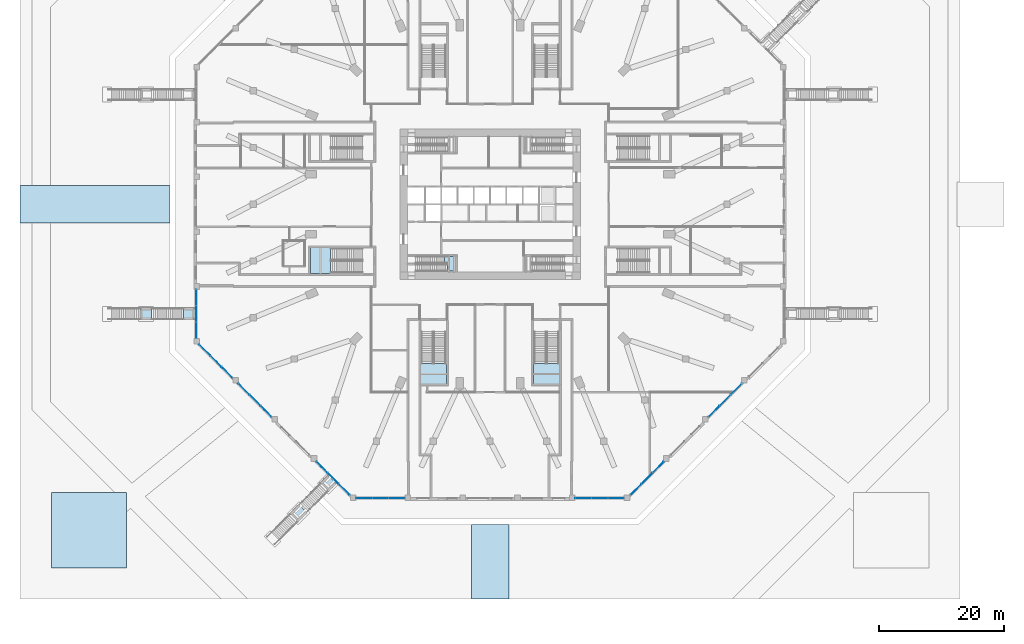
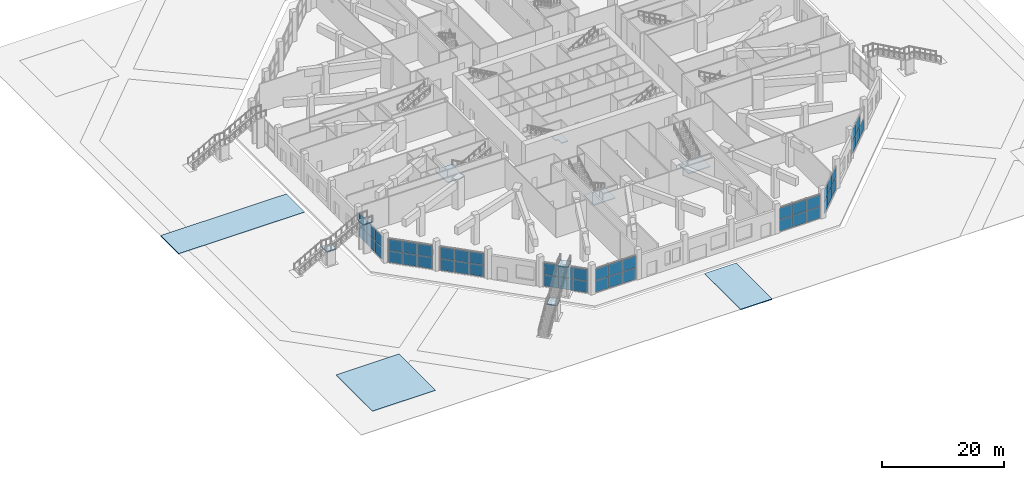
# One storey, part 16 of 36: 47 plates, 11 slabs, 14 elements without a shape of their own.
"""IFC4 building model written with IfcOpenShell, lengths in metres."""

import ifcopenshell
import ifcopenshell.guid

model = None  # the IFC model being written
_history = None  # IfcOwnerHistory: only IFC2X3 demands one
_inside = {}  # id of a spatial element -> (the spatial element, [elements in it])
_under = {}  # id of a project, library or spatial element -> (it, [spatial elements below it])
_declared = {}  # id of a project -> (the project, [libraries it declares])
_typed = {}  # id of a type object -> (the type object, [elements of that type])
_made_of = {}  # id of a material, layer set ... -> (it, [elements and type objects made of it])


def new_model(schema):
    """Start an empty IFC model of exactly this schema.

    Asked for "IFC4X3", IfcOpenShell would pick the latest addendum, in which some entities
    have other attributes; the version numbers below select the first issue.
    IFC2X3 requires an IfcOwnerHistory on every rooted entity: one is made here for all.
    """
    global model, _history
    if schema == "IFC4X3":
        model = ifcopenshell.file(schema_version=(4, 3, 0, 0))
    else:
        model = ifcopenshell.file(schema=schema)
    _inside.clear()
    _under.clear()
    _declared.clear()
    _typed.clear()
    _made_of.clear()
    _history = None
    if model.schema == "IFC2X3":
        org = make("IfcOrganization", Name="unknown")
        user = make(
            "IfcPersonAndOrganization",
            ThePerson=make("IfcPerson", FamilyName="unknown"),
            TheOrganization=org,
        )
        app = make(
            "IfcApplication",
            ApplicationDeveloper=org,
            Version="unknown",
            ApplicationFullName="unknown",
            ApplicationIdentifier="unknown",
        )
        _history = make(
            "IfcOwnerHistory",
            OwningUser=user,
            OwningApplication=app,
            ChangeAction="ADDED",
            CreationDate=0,
        )
    return model


def make(cls, **values):
    """One entity of the class cls with the attributes given. An attribute that is None is left unset."""
    return model.create_entity(
        cls, **{name: value for name, value in values.items() if value is not None}
    )


def rooted(cls, **values):
    """An entity with a GlobalId (a new one), such as an element, a storey or a relation."""
    return make(cls, GlobalId=ifcopenshell.guid.new(), OwnerHistory=_history, **values)


def si_unit(unit_type, name, prefix=None):
    """IfcSIUnit, for example si_unit("LENGTHUNIT", "METRE", prefix="MILLI")."""
    return make("IfcSIUnit", UnitType=unit_type, Prefix=prefix, Name=name)


def assignment(units):
    """IfcUnitAssignment: the units of a project."""
    return None if units is None else make("IfcUnitAssignment", Units=units)


def point(xyz):
    """IfcCartesianPoint."""
    return None if xyz is None else make("IfcCartesianPoint", Coordinates=xyz)


def direction(xyz):
    """IfcDirection."""
    return None if xyz is None else make("IfcDirection", DirectionRatios=xyz)


def frame(location, z_axis=None, x_axis=None):
    """IfcAxis2Placement3D, a coordinate frame: its origin and axes. An axis left out is left unset."""
    return make(
        "IfcAxis2Placement3D",
        Location=point(location),
        Axis=direction(z_axis),
        RefDirection=direction(x_axis),
    )


def frame_2d(location, x_axis=None):
    """IfcAxis2Placement2D, a coordinate frame in the plane: its origin and x axis."""
    return make(
        "IfcAxis2Placement2D", Location=point(location), RefDirection=direction(x_axis)
    )


def origin():
    """The frame at (0, 0, 0) with its axes left unset."""
    return frame((0.0, 0.0, 0.0))


def origin_2d():
    """The frame at (0, 0) in the plane with its x axis left unset."""
    return frame_2d((0.0, 0.0))


def place(relative_to, where):
    """IfcLocalPlacement: puts the frame where relative to a parent placement (None: the world)."""
    return make(
        "IfcLocalPlacement", PlacementRelTo=relative_to, RelativePlacement=where
    )


def context(
    kind, dimensions, precision=None, world=None, true_north=None, identifier=None
):
    """IfcGeometricRepresentationContext, for example the 3D "Model" context."""
    return make(
        "IfcGeometricRepresentationContext",
        ContextIdentifier=identifier,
        ContextType=kind,
        CoordinateSpaceDimension=dimensions,
        Precision=precision,
        WorldCoordinateSystem=world,
        TrueNorth=true_north,
    )


def subcontext(parent, identifier, kind, view, scale=None):
    """IfcGeometricRepresentationSubContext, for example "Body" below "Model"."""
    return make(
        "IfcGeometricRepresentationSubContext",
        ContextIdentifier=identifier,
        ContextType=kind,
        ParentContext=parent,
        TargetScale=scale,
        TargetView=view,
    )


def project(units=None, contexts=None):
    """IfcProject with its units and contexts."""
    return rooted(
        "IfcProject",
        Name="project",
        RepresentationContexts=contexts,
        UnitsInContext=assignment(units),
    )


def spatial(cls, under=None, at=None, **own):
    """A site, building, storey or space (cls), placed at a placement, below another one or the project."""
    s = rooted(cls, ObjectPlacement=at, **own)
    if under is not None:
        _under.setdefault(under.id(), (under, []))[1].append(s)
    return s


def polyline(points):
    """IfcPolyline through the points."""
    return make("IfcPolyline", Points=[point(p) for p in points])


def profile(cls, at=None, kind="AREA", **sizes):
    """A parametric profile (cls). Its sizes go by their IFC names, for example OverallWidth=200.0."""
    return make(cls, ProfileType=kind, Position=at, **sizes)


def rectangle(**sizes):
    """IfcRectangleProfileDef."""
    return profile("IfcRectangleProfileDef", **sizes)


def outline(outer, holes=None, kind="AREA"):
    """IfcArbitraryClosedProfileDef: a profile drawn as a closed curve; with holes, ...WithVoids."""
    if holes is None:
        return make("IfcArbitraryClosedProfileDef", ProfileType=kind, OuterCurve=outer)
    return make(
        "IfcArbitraryProfileDefWithVoids",
        ProfileType=kind,
        OuterCurve=outer,
        InnerCurves=holes,
    )


def extrude(swept, where, along, depth):
    """IfcExtrudedAreaSolid: the profile swept, set in the frame where, extruded along a direction by depth."""
    return make(
        "IfcExtrudedAreaSolid",
        SweptArea=swept,
        Position=where,
        ExtrudedDirection=direction(along),
        Depth=depth,
    )


def shape(context_of_items, identifier, shape_type, items):
    """IfcShapeRepresentation: the items that make up one representation, for example the "Body"."""
    return make(
        "IfcShapeRepresentation",
        ContextOfItems=context_of_items,
        RepresentationIdentifier=identifier,
        RepresentationType=shape_type,
        Items=items,
    )


def material(Name=None, Category=None):
    """IfcMaterial."""
    return make("IfcMaterial", Name=Name, Category=Category)


def layer(
    of_material, thickness, ventilated=None, Name=None, Category=None, Priority=None
):
    """IfcMaterialLayer: one layer of a wall or slab, of a material (None: an air gap)."""
    return make(
        "IfcMaterialLayer",
        Material=of_material,
        LayerThickness=thickness,
        IsVentilated=ventilated,
        Name=Name,
        Category=Category,
        Priority=Priority,
    )


def layer_set(layers, Name=None):
    """IfcMaterialLayerSet."""
    return make("IfcMaterialLayerSet", MaterialLayers=layers, LayerSetName=Name)


def constituent(of_material, Name=None, Category=None, fraction=None):
    """IfcMaterialConstituent: one of the materials an element consists of."""
    return make(
        "IfcMaterialConstituent",
        Name=Name,
        Material=of_material,
        Fraction=fraction,
        Category=Category,
    )


def constituent_set(constituents=None, Name=None):
    """IfcMaterialConstituentSet."""
    return make(
        "IfcMaterialConstituentSet", Name=Name, MaterialConstituents=constituents
    )


def made_of(thing, what):
    """Note that an element or type object is made of a material, layer set ...; save() writes the relation."""
    if what is not None:
        _made_of.setdefault(what.id(), (what, []))[1].append(thing)
    return thing


def type_object(cls, material=None, **own):
    """A type object (cls), such as IfcWallType, which elements share."""
    return made_of(rooted(cls, **own), material)


def element(
    cls,
    number,
    at=None,
    inside=None,
    cuts=None,
    type_object=None,
    material=None,
    context=None,
    identifier="Body",
    shape_type=None,
    held_by="IfcProductDefinitionShape",
    body=None,
    shapes=None,
    **own,
):
    """One element of the class cls, such as IfcWall. Its Tag is "e" and its number.

    at: its placement. inside: the storey or other place that contains it. cuts: it is an
    opening in that element (IfcRelVoidsElement). A single representation is given by context,
    identifier, shape_type and body (its items); several are given by shapes. held_by: the class
    of the entity that holds the representations. save() writes the other relations.
    """
    e = rooted(cls, Tag="e%d" % number, ObjectPlacement=at, **own)
    if body is not None:
        shapes = [shape(context, identifier, shape_type, body)]
    if shapes is not None:
        e.Representation = make(held_by, Representations=shapes)
    if inside is not None:
        _inside.setdefault(inside.id(), (inside, []))[1].append(e)
    if cuts is not None:
        rooted(
            "IfcRelVoidsElement", RelatingBuildingElement=cuts, RelatedOpeningElement=e
        )
    if type_object is not None:
        _typed.setdefault(type_object.id(), (type_object, []))[1].append(e)
    return made_of(e, material)


def aggregate(whole, parts):
    """IfcRelAggregates: a whole, such as a stair, and the parts it consists of."""
    return rooted("IfcRelAggregates", RelatingObject=whole, RelatedObjects=parts)


def save(model, path):
    """Write the relations noted so far, then the file.

    IfcRelAggregates (storeys below a building ...), IfcRelContainedInSpatialStructure (elements
    in a storey), IfcRelDefinesByType, IfcRelAssociatesMaterial and IfcRelDeclares: one each for
    every whole, place, type object, material and project.
    """
    for whole, parts in _under.values():
        aggregate(whole, parts)
    for where, things in _inside.values():
        rooted(
            "IfcRelContainedInSpatialStructure",
            RelatedElements=things,
            RelatingStructure=where,
        )
    for kind, things in _typed.values():
        rooted("IfcRelDefinesByType", RelatedObjects=things, RelatingType=kind)
    for what, things in _made_of.values():
        rooted("IfcRelAssociatesMaterial", RelatedObjects=things, RelatingMaterial=what)
    for by, libraries in _declared.values():
        rooted("IfcRelDeclares", RelatingContext=by, RelatedDefinitions=libraries)
    model.write(path)


model = new_model("IFC4")

# Units and contexts
model_context = context("Model", 3, precision=1e-05, world=origin(), true_north=direction((0.0, 1.0)))
body_context = subcontext(model_context, "Body", "Model", "MODEL_VIEW")
ifc_project = project(units=[si_unit("LENGTHUNIT", "METRE"), si_unit("AREAUNIT", "SQUARE_METRE"), si_unit("VOLUMEUNIT", "CUBIC_METRE"), si_unit("PLANEANGLEUNIT", "RADIAN"), si_unit("MASSUNIT", "GRAM", prefix="KILO")], contexts=[model_context])

# Site, building, storey
site_placement = place(None, origin())
site = spatial("IfcSite", under=ifc_project, at=site_placement, CompositionType="ELEMENT")
building_placement = place(site_placement, origin())
building = spatial("IfcBuilding", under=site, at=building_placement, Name="Msitu Wima Residences", CompositionType="ELEMENT")
storey_placement = place(building_placement, origin())
storey = spatial("IfcBuildingStorey", under=building, at=storey_placement, Name="L00", CompositionType="ELEMENT", Elevation=0.0)

# Stair, slabs
ifc_material_1 = material(Name="Concrete C40/50", Category="concrete")
stair_type_1 = type_object("IfcStairType", Name="External stair garden STAIR", PredefinedType="NOTDEFINED", material=ifc_material_1)
stair_1_placement = place(storey_placement, origin())
stair_1 = element("IfcStair", 1, at=stair_1_placement, inside=storey, type_object=stair_type_1, Name="External stair SW4", PredefinedType="NOTDEFINED")
ifc_layer_1 = layer(ifc_material_1, 0.199951171875)
ifc_layer_set_1 = layer_set([ifc_layer_1], Name="Concrete C40/50")
slab_type_1 = type_object("IfcSlabType", Name="External stair landing LD1800", PredefinedType="LANDING", material=ifc_layer_set_1)
slab_1_placement = place(storey_placement, frame((0.0, 0.0, 5.800048828125)))
slab_1 = element("IfcSlab", 2, at=slab_1_placement, type_object=slab_type_1, Name="ES1 landing 1", PredefinedType="LANDING", context=body_context, shape_type="SweptSolid", body=[
    extrude(outline(polyline([(-25.822509765625, -43.2578125), (-24.549560546875, -44.530517578125), (-25.822509765625, -45.80322265625), (-27.09521484375, -44.530517578125), (-25.822509765625, -43.2578125)])), origin(), (0.0, 0.0, 1.0), 0.199951171875),
])
slab_2_placement = place(storey_placement, frame((0.0, 0.0, 2.800048828125)))
slab_2 = element("IfcSlab", 3, at=slab_2_placement, type_object=slab_type_1, Name="ES1 landing 2", PredefinedType="LANDING", context=body_context, shape_type="SweptSolid", body=[
    extrude(outline(polyline([(-30.482666015625, -47.91796875), (-29.2099609375, -49.190673828125), (-30.701416015625, -50.682373046875), (-31.97412109375, -49.40966796875), (-30.482666015625, -47.91796875)])), origin(), (0.0, 0.0, 1.0), 0.199951171875),
])
aggregate(stair_1, [slab_1, slab_2])

# Slabs
ifc_material_2 = material(Name="Clay pavers")
ifc_layer_2 = layer(ifc_material_2, 0.0400390625, Name="Clay pavers")
ifc_material_3 = material(Name="Concrete C30/37", Category="concrete")
ifc_layer_3 = layer(ifc_material_3, 0.110107421875, Name="Concrete C30/37")
ifc_layer_set_2 = layer_set([ifc_layer_2, ifc_layer_3], Name="Concrete C30/37")
slab_type_2 = type_object("IfcSlabType", Name="Garden paving slab PG150", PredefinedType="USERDEFINED", material=ifc_layer_set_2)
slab_3_placement = place(storey_placement, frame((0.0, 0.0, -0.14990234375)))
element("IfcSlab", 4, at=slab_3_placement, inside=storey, type_object=slab_type_2, Name="Garden path S paving", ObjectType="PAVING", PredefinedType="USERDEFINED", context=body_context, shape_type="SweptSolid", body=[
    extrude(outline(polyline([(3.0, -63.0), (3.0, -51.10009765625), (-3.0, -51.10009765625), (-3.0, -63.0), (3.0, -63.0)])), origin(), (0.0, 0.0, 1.0), 0.14990234375),
])
slab_4_placement = place(storey_placement, frame((0.0, 0.0, -0.14990234375)))
element("IfcSlab", 5, at=slab_4_placement, inside=storey, type_object=slab_type_2, Name="Garden path W paving", ObjectType="PAVING", PredefinedType="USERDEFINED", context=body_context, shape_type="SweptSolid", body=[
    extrude(outline(polyline([(-51.10009765625, -3.0), (-51.10009765625, 3.0), (-75.0, 3.0), (-75.0, -3.0), (-51.10009765625, -3.0)])), origin(), (0.0, 0.0, 1.0), 0.14990234375),
])
slab_5_placement = place(storey_placement, frame((0.0, 0.0, -0.14990234375)))
element("IfcSlab", 6, at=slab_5_placement, inside=storey, type_object=slab_type_2, Name="Garden plaza SW paving", ObjectType="PAVING", PredefinedType="USERDEFINED", context=body_context, shape_type="SweptSolid", body=[
    extrude(outline(polyline([(-70.0, -58.0), (-58.0, -58.0), (-58.0, -46.0), (-70.0, -46.0), (-70.0, -58.0)])), origin(), (0.0, 0.0, 1.0), 0.14990234375),
])

# Stair, slabs
ifc_constituent_1 = constituent(ifc_material_1, Name="Concrete C40/50")
ifc_material_4 = material(Name="Exposed aggregate finish")
ifc_constituent_2 = constituent(ifc_material_4, Name="Exposed aggregate finish")
ifc_constituent_set = constituent_set(constituents=[ifc_constituent_1, ifc_constituent_2], Name="Concrete C40/50")
stair_type_2 = type_object("IfcStairType", Name="Garden stair GX1667-180", PredefinedType="STRAIGHT_RUN_STAIR", material=ifc_constituent_set)
stair_2_placement = place(storey_placement, origin())
stair_2 = element("IfcStair", 7, at=stair_2_placement, inside=storey, type_object=stair_type_2, Name="Garden stair 3", PredefinedType="STRAIGHT_RUN_STAIR")
ifc_layer_4 = layer(ifc_material_1, 0.199951171875)
ifc_layer_set_3 = layer_set([ifc_layer_4], Name="Concrete C40/50")
slab_type_3 = type_object("IfcSlabType", Name="Garden stair landing LG200", PredefinedType="LANDING", material=ifc_layer_set_3)
slab_6_placement = place(storey_placement, frame((0.0, 0.0, 5.800048828125)))
slab_6 = element("IfcSlab", 8, at=slab_6_placement, type_object=slab_type_3, Name="GS3 landing 1", PredefinedType="LANDING", context=body_context, shape_type="SweptSolid", body=[
    extrude(outline(polyline([(-47.10009765625, -16.584716796875), (-47.10009765625, -18.384765625), (-48.89990234375, -18.384765625), (-48.89990234375, -16.584716796875), (-47.10009765625, -16.584716796875)])), origin(), (0.0, 0.0, 1.0), 0.199951171875),
])
slab_7_placement = place(storey_placement, frame((0.0, 0.0, 2.800048828125)))
slab_7 = element("IfcSlab", 9, at=slab_7_placement, type_object=slab_type_3, Name="GS3 landing 2", PredefinedType="LANDING", context=body_context, shape_type="SweptSolid", body=[
    extrude(outline(polyline([(-54.0, -16.584716796875), (-54.0, -18.384765625), (-55.800048828125, -18.384765625), (-55.800048828125, -16.584716796875), (-54.0, -16.584716796875)])), origin(), (0.0, 0.0, 1.0), 0.199951171875),
])
aggregate(stair_2, [slab_6, slab_7])

# Curtain wall, plates
ifc_material_5 = material(Name="Anodised aluminium, bronze finish, clear laminated low-emissivity double glazing", Category="aluminium")
curtain_wall_type = type_object("IfcCurtainWallType", Name="Curtain wall CW1 shopfront", PredefinedType="NOTDEFINED", material=ifc_material_5)
curtain_wall_1_placement = place(storey_placement, origin())
curtain_wall_1 = element("IfcCurtainWall", 10, at=curtain_wall_1_placement, inside=storey, type_object=curtain_wall_type, Name="Curtain wall CW1 L00 W4", PredefinedType="NOTDEFINED")
ifc_material_6 = material(Name="Clear laminated low-emissivity double glazing", Category="glass")
ifc_layer_5 = layer(ifc_material_6, 0.035888671875)
ifc_layer_set_4 = layer_set([ifc_layer_5], Name="Clear laminated low-emissivity double glazing")
plate_type = type_object("IfcPlateType", Name="Glass panel CW1 36", PredefinedType="CURTAIN_PANEL", material=ifc_layer_set_4)
plate_1_placement = place(storey_placement, frame((-46.89990234375, -14.88671875, 0.06494140625), z_axis=(0.0, 0.0, 1.0), x_axis=(0.0, -1.0, 0.0)))
plate_1 = element("IfcPlate", 11, at=plate_1_placement, type_object=plate_type, Name="CW1 panel 1.1", PredefinedType="CURTAIN_PANEL", context=body_context, shape_type="SweptSolid", body=[
    extrude(rectangle(XDim=2.5166015625, YDim=0.035888671875, at=origin_2d()), origin(), (0.0, 0.0, 1.0), 2.302490234375),
])
plate_2_placement = place(storey_placement, frame((-46.89990234375, -14.88671875, 2.4326171875), z_axis=(0.0, 0.0, 1.0), x_axis=(0.0, -1.0, 0.0)))
plate_2 = element("IfcPlate", 12, at=plate_2_placement, type_object=plate_type, Name="CW1 panel 1.2", PredefinedType="CURTAIN_PANEL", context=body_context, shape_type="SweptSolid", body=[
    extrude(rectangle(XDim=2.5166015625, YDim=0.035888671875, at=origin_2d()), origin(), (0.0, 0.0, 1.0), 2.302490234375),
])
plate_3_placement = place(storey_placement, frame((-46.89990234375, -17.484619140625, 0.06494140625), z_axis=(0.0, 0.0, 1.0), x_axis=(0.0, -1.0, 0.0)))
plate_3 = element("IfcPlate", 13, at=plate_3_placement, type_object=plate_type, Name="CW1 panel 2.1", PredefinedType="CURTAIN_PANEL", context=body_context, shape_type="SweptSolid", body=[
    extrude(rectangle(XDim=2.549072265625, YDim=0.035888671875, at=origin_2d()), origin(), (0.0, 0.0, 1.0), 2.302490234375),
])
plate_4_placement = place(storey_placement, frame((-46.89990234375, -17.484619140625, 2.4326171875), z_axis=(0.0, 0.0, 1.0), x_axis=(0.0, -1.0, 0.0)))
plate_4 = element("IfcPlate", 14, at=plate_4_placement, type_object=plate_type, Name="CW1 panel 2.2", PredefinedType="CURTAIN_PANEL", context=body_context, shape_type="SweptSolid", body=[
    extrude(rectangle(XDim=2.549072265625, YDim=0.035888671875, at=origin_2d()), origin(), (0.0, 0.0, 1.0), 2.302490234375),
])
plate_5_placement = place(storey_placement, frame((-46.89990234375, -20.08251953125, 0.06494140625), z_axis=(0.0, 0.0, 1.0), x_axis=(0.0, -1.0, 0.0)))
plate_5 = element("IfcPlate", 15, at=plate_5_placement, type_object=plate_type, Name="CW1 panel 3.1", PredefinedType="CURTAIN_PANEL", context=body_context, shape_type="SweptSolid", body=[
    extrude(rectangle(XDim=2.5166015625, YDim=0.035888671875, at=origin_2d()), origin(), (0.0, 0.0, 1.0), 2.302490234375),
])
plate_6_placement = place(storey_placement, frame((-46.89990234375, -20.08251953125, 2.4326171875), z_axis=(0.0, 0.0, 1.0), x_axis=(0.0, -1.0, 0.0)))
plate_6 = element("IfcPlate", 16, at=plate_6_placement, type_object=plate_type, Name="CW1 panel 3.2", PredefinedType="CURTAIN_PANEL", context=body_context, shape_type="SweptSolid", body=[
    extrude(rectangle(XDim=2.5166015625, YDim=0.035888671875, at=origin_2d()), origin(), (0.0, 0.0, 1.0), 2.302490234375),
])
aggregate(curtain_wall_1, [plate_1, plate_2, plate_3, plate_4, plate_5, plate_6])

curtain_wall_2_placement = place(storey_placement, origin())
curtain_wall_2 = element("IfcCurtainWall", 17, at=curtain_wall_2_placement, inside=storey, type_object=curtain_wall_type, Name="Curtain wall CW1 L00 SW0", PredefinedType="NOTDEFINED")
plate_7_placement = place(storey_placement, frame((-45.519775390625, -23.27734375, 0.06494140625), z_axis=(0.0, 0.0, 1.0), x_axis=(0.707106781187, -0.707106781187, 0.0)))
plate_7 = element("IfcPlate", 18, at=plate_7_placement, type_object=plate_type, Name="CW1 panel 1.1", PredefinedType="CURTAIN_PANEL", context=body_context, shape_type="SweptSolid", body=[
    extrude(rectangle(XDim=2.41796875, YDim=0.035888671875, at=origin_2d()), origin(), (0.0, 0.0, 1.0), 2.302490234375),
])
plate_8_placement = place(storey_placement, frame((-45.519775390625, -23.27734375, 2.4326171875), z_axis=(0.0, 0.0, 1.0), x_axis=(0.707106781187, -0.707106781187, 0.0)))
plate_8 = element("IfcPlate", 19, at=plate_8_placement, type_object=plate_type, Name="CW1 panel 1.2", PredefinedType="CURTAIN_PANEL", context=body_context, shape_type="SweptSolid", body=[
    extrude(rectangle(XDim=2.41796875, YDim=0.035888671875, at=origin_2d()), origin(), (0.0, 0.0, 1.0), 2.302490234375),
])
plate_9_placement = place(storey_placement, frame((-43.752685546875, -25.044677734375, 0.06494140625), z_axis=(0.0, 0.0, 1.0), x_axis=(0.707106781187, -0.707106781187, 0.0)))
plate_9 = element("IfcPlate", 20, at=plate_9_placement, type_object=plate_type, Name="CW1 panel 2.1", PredefinedType="CURTAIN_PANEL", context=body_context, shape_type="SweptSolid", body=[
    extrude(rectangle(XDim=2.450439453125, YDim=0.035888671875, at=origin_2d()), origin(), (0.0, 0.0, 1.0), 2.302490234375),
])
plate_10_placement = place(storey_placement, frame((-43.752685546875, -25.044677734375, 2.4326171875), z_axis=(0.0, 0.0, 1.0), x_axis=(0.707106781187, -0.707106781187, 0.0)))
plate_10 = element("IfcPlate", 21, at=plate_10_placement, type_object=plate_type, Name="CW1 panel 2.2", PredefinedType="CURTAIN_PANEL", context=body_context, shape_type="SweptSolid", body=[
    extrude(rectangle(XDim=2.450439453125, YDim=0.035888671875, at=origin_2d()), origin(), (0.0, 0.0, 1.0), 2.302490234375),
])
plate_11_placement = place(storey_placement, frame((-41.985595703125, -26.811767578125, 0.06494140625), z_axis=(0.0, 0.0, 1.0), x_axis=(0.707106781187, -0.707106781187, 0.0)))
plate_11 = element("IfcPlate", 22, at=plate_11_placement, type_object=plate_type, Name="CW1 panel 3.1", PredefinedType="CURTAIN_PANEL", context=body_context, shape_type="SweptSolid", body=[
    extrude(rectangle(XDim=2.41796875, YDim=0.035888671875, at=origin_2d()), origin(), (0.0, 0.0, 1.0), 2.302490234375),
])
plate_12_placement = place(storey_placement, frame((-41.985595703125, -26.811767578125, 2.4326171875), z_axis=(0.0, 0.0, 1.0), x_axis=(0.707106781187, -0.707106781187, 0.0)))
plate_12 = element("IfcPlate", 23, at=plate_12_placement, type_object=plate_type, Name="CW1 panel 3.2", PredefinedType="CURTAIN_PANEL", context=body_context, shape_type="SweptSolid", body=[
    extrude(rectangle(XDim=2.41796875, YDim=0.035888671875, at=origin_2d()), origin(), (0.0, 0.0, 1.0), 2.302490234375),
])
aggregate(curtain_wall_2, [plate_7, plate_8, plate_9, plate_10, plate_11, plate_12])

curtain_wall_3_placement = place(storey_placement, origin())
curtain_wall_3 = element("IfcCurtainWall", 24, at=curtain_wall_3_placement, inside=storey, type_object=curtain_wall_type, Name="Curtain wall CW1 L00 SW1", PredefinedType="NOTDEFINED")
plate_13_placement = place(storey_placement, frame((-39.283935546875, -29.513427734375, 0.06494140625), z_axis=(0.0, 0.0, 1.0), x_axis=(0.707106781187, -0.707106781187, 0.0)))
plate_13 = element("IfcPlate", 25, at=plate_13_placement, type_object=plate_type, Name="CW1 panel 1.1", PredefinedType="CURTAIN_PANEL", context=body_context, shape_type="SweptSolid", body=[
    extrude(rectangle(XDim=2.41796875, YDim=0.035888671875, at=origin_2d()), origin(), (0.0, 0.0, 1.0), 2.302490234375),
])
plate_14_placement = place(storey_placement, frame((-39.283935546875, -29.513427734375, 2.4326171875), z_axis=(0.0, 0.0, 1.0), x_axis=(0.707106781187, -0.707106781187, 0.0)))
plate_14 = element("IfcPlate", 26, at=plate_14_placement, type_object=plate_type, Name="CW1 panel 1.2", PredefinedType="CURTAIN_PANEL", context=body_context, shape_type="SweptSolid", body=[
    extrude(rectangle(XDim=2.41796875, YDim=0.035888671875, at=origin_2d()), origin(), (0.0, 0.0, 1.0), 2.302490234375),
])
plate_15_placement = place(storey_placement, frame((-37.5166015625, -31.280517578125, 0.06494140625), z_axis=(0.0, 0.0, 1.0), x_axis=(0.707106781187, -0.707106781187, 0.0)))
plate_15 = element("IfcPlate", 27, at=plate_15_placement, type_object=plate_type, Name="CW1 panel 2.1", PredefinedType="CURTAIN_PANEL", context=body_context, shape_type="SweptSolid", body=[
    extrude(rectangle(XDim=2.450439453125, YDim=0.035888671875, at=origin_2d()), origin(), (0.0, 0.0, 1.0), 2.302490234375),
])
plate_16_placement = place(storey_placement, frame((-37.5166015625, -31.280517578125, 2.4326171875), z_axis=(0.0, 0.0, 1.0), x_axis=(0.707106781187, -0.707106781187, 0.0)))
plate_16 = element("IfcPlate", 28, at=plate_16_placement, type_object=plate_type, Name="CW1 panel 2.2", PredefinedType="CURTAIN_PANEL", context=body_context, shape_type="SweptSolid", body=[
    extrude(rectangle(XDim=2.450439453125, YDim=0.035888671875, at=origin_2d()), origin(), (0.0, 0.0, 1.0), 2.302490234375),
])
plate_17_placement = place(storey_placement, frame((-35.74951171875, -33.0478515625, 0.06494140625), z_axis=(0.0, 0.0, 1.0), x_axis=(0.707106781187, -0.707106781187, 0.0)))
plate_17 = element("IfcPlate", 29, at=plate_17_placement, type_object=plate_type, Name="CW1 panel 3.1", PredefinedType="CURTAIN_PANEL", context=body_context, shape_type="SweptSolid", body=[
    extrude(rectangle(XDim=2.41796875, YDim=0.035888671875, at=origin_2d()), origin(), (0.0, 0.0, 1.0), 2.302490234375),
])
plate_18_placement = place(storey_placement, frame((-35.74951171875, -33.0478515625, 2.4326171875), z_axis=(0.0, 0.0, 1.0), x_axis=(0.707106781187, -0.707106781187, 0.0)))
plate_18 = element("IfcPlate", 30, at=plate_18_placement, type_object=plate_type, Name="CW1 panel 3.2", PredefinedType="CURTAIN_PANEL", context=body_context, shape_type="SweptSolid", body=[
    extrude(rectangle(XDim=2.41796875, YDim=0.035888671875, at=origin_2d()), origin(), (0.0, 0.0, 1.0), 2.302490234375),
])
aggregate(curtain_wall_3, [plate_13, plate_14, plate_15, plate_16, plate_17, plate_18])

curtain_wall_4_placement = place(storey_placement, origin())
curtain_wall_4 = element("IfcCurtainWall", 31, at=curtain_wall_4_placement, inside=storey, type_object=curtain_wall_type, Name="Curtain wall CW1 L00 SW3", PredefinedType="NOTDEFINED")
plate_19_placement = place(storey_placement, frame((-26.811767578125, -41.985595703125, 0.06494140625), z_axis=(0.0, 0.0, 1.0), x_axis=(0.707106847447, -0.707106714926, 0.0)))
plate_19 = element("IfcPlate", 32, at=plate_19_placement, type_object=plate_type, Name="CW1 panel 1.1", PredefinedType="CURTAIN_PANEL", context=body_context, shape_type="SweptSolid", body=[
    extrude(rectangle(XDim=2.41796875, YDim=0.035888671875, at=origin_2d()), origin(), (0.0, 0.0, 1.0), 2.302490234375),
])
plate_20_placement = place(storey_placement, frame((-26.811767578125, -41.985595703125, 2.4326171875), z_axis=(0.0, 0.0, 1.0), x_axis=(0.707106847447, -0.707106714926, 0.0)))
plate_20 = element("IfcPlate", 33, at=plate_20_placement, type_object=plate_type, Name="CW1 panel 1.2", PredefinedType="CURTAIN_PANEL", context=body_context, shape_type="SweptSolid", body=[
    extrude(rectangle(XDim=2.41796875, YDim=0.035888671875, at=origin_2d()), origin(), (0.0, 0.0, 1.0), 2.302490234375),
])
plate_21_placement = place(storey_placement, frame((-25.044677734375, -43.752685546875, 0.06494140625), z_axis=(0.0, 0.0, 1.0), x_axis=(0.707106847447, -0.707106714926, 0.0)))
plate_21 = element("IfcPlate", 34, at=plate_21_placement, type_object=plate_type, Name="CW1 panel 2.1", PredefinedType="CURTAIN_PANEL", context=body_context, shape_type="SweptSolid", body=[
    extrude(rectangle(XDim=2.450439453125, YDim=0.035888671875, at=origin_2d()), origin(), (0.0, 0.0, 1.0), 2.302490234375),
])
plate_22_placement = place(storey_placement, frame((-25.044677734375, -43.752685546875, 2.4326171875), z_axis=(0.0, 0.0, 1.0), x_axis=(0.707106847447, -0.707106714926, 0.0)))
plate_22 = element("IfcPlate", 35, at=plate_22_placement, type_object=plate_type, Name="CW1 panel 2.2", PredefinedType="CURTAIN_PANEL", context=body_context, shape_type="SweptSolid", body=[
    extrude(rectangle(XDim=2.450439453125, YDim=0.035888671875, at=origin_2d()), origin(), (0.0, 0.0, 1.0), 2.302490234375),
])
plate_23_placement = place(storey_placement, frame((-23.27734375, -45.519775390625, 0.06494140625), z_axis=(0.0, 0.0, 1.0), x_axis=(0.707106847447, -0.707106714926, 0.0)))
plate_23 = element("IfcPlate", 36, at=plate_23_placement, type_object=plate_type, Name="CW1 panel 3.1", PredefinedType="CURTAIN_PANEL", context=body_context, shape_type="SweptSolid", body=[
    extrude(rectangle(XDim=2.41796875, YDim=0.035888671875, at=origin_2d()), origin(), (0.0, 0.0, 1.0), 2.302490234375),
])
plate_24_placement = place(storey_placement, frame((-23.27734375, -45.519775390625, 2.4326171875), z_axis=(0.0, 0.0, 1.0), x_axis=(0.707106847447, -0.707106714926, 0.0)))
plate_24 = element("IfcPlate", 37, at=plate_24_placement, type_object=plate_type, Name="CW1 panel 3.2", PredefinedType="CURTAIN_PANEL", context=body_context, shape_type="SweptSolid", body=[
    extrude(rectangle(XDim=2.41796875, YDim=0.035888671875, at=origin_2d()), origin(), (0.0, 0.0, 1.0), 2.302490234375),
])
aggregate(curtain_wall_4, [plate_19, plate_20, plate_21, plate_22, plate_23, plate_24])

curtain_wall_5_placement = place(storey_placement, origin())
curtain_wall_5 = element("IfcCurtainWall", 38, at=curtain_wall_5_placement, inside=storey, type_object=curtain_wall_type, Name="Curtain wall CW1 L00 S0", PredefinedType="NOTDEFINED")
plate_25_placement = place(storey_placement, frame((-20.08251953125, -46.89990234375, 0.06494140625), z_axis=(0.0, 0.0, 1.0), x_axis=(1.0, 0.0, 0.0)))
plate_25 = element("IfcPlate", 39, at=plate_25_placement, type_object=plate_type, Name="CW1 panel 1.1", PredefinedType="CURTAIN_PANEL", context=body_context, shape_type="SweptSolid", body=[
    extrude(rectangle(XDim=2.5166015625, YDim=0.035888671875, at=origin_2d()), origin(), (0.0, 0.0, 1.0), 2.302490234375),
])
plate_26_placement = place(storey_placement, frame((-20.08251953125, -46.89990234375, 2.4326171875), z_axis=(0.0, 0.0, 1.0), x_axis=(1.0, 0.0, 0.0)))
plate_26 = element("IfcPlate", 40, at=plate_26_placement, type_object=plate_type, Name="CW1 panel 1.2", PredefinedType="CURTAIN_PANEL", context=body_context, shape_type="SweptSolid", body=[
    extrude(rectangle(XDim=2.5166015625, YDim=0.035888671875, at=origin_2d()), origin(), (0.0, 0.0, 1.0), 2.302490234375),
])
plate_27_placement = place(storey_placement, frame((-17.484619140625, -46.89990234375, 0.06494140625), z_axis=(0.0, 0.0, 1.0), x_axis=(1.0, 0.0, 0.0)))
plate_27 = element("IfcPlate", 41, at=plate_27_placement, type_object=plate_type, Name="CW1 panel 2.1", PredefinedType="CURTAIN_PANEL", context=body_context, shape_type="SweptSolid", body=[
    extrude(rectangle(XDim=2.549072265625, YDim=0.035888671875, at=origin_2d()), origin(), (0.0, 0.0, 1.0), 2.302490234375),
])
plate_28_placement = place(storey_placement, frame((-17.484619140625, -46.89990234375, 2.4326171875), z_axis=(0.0, 0.0, 1.0), x_axis=(1.0, 0.0, 0.0)))
plate_28 = element("IfcPlate", 42, at=plate_28_placement, type_object=plate_type, Name="CW1 panel 2.2", PredefinedType="CURTAIN_PANEL", context=body_context, shape_type="SweptSolid", body=[
    extrude(rectangle(XDim=2.549072265625, YDim=0.035888671875, at=origin_2d()), origin(), (0.0, 0.0, 1.0), 2.302490234375),
])
plate_29_placement = place(storey_placement, frame((-14.88671875, -46.89990234375, 0.06494140625), z_axis=(0.0, 0.0, 1.0), x_axis=(1.0, 0.0, 0.0)))
plate_29 = element("IfcPlate", 43, at=plate_29_placement, type_object=plate_type, Name="CW1 panel 3.1", PredefinedType="CURTAIN_PANEL", context=body_context, shape_type="SweptSolid", body=[
    extrude(rectangle(XDim=2.5166015625, YDim=0.035888671875, at=origin_2d()), origin(), (0.0, 0.0, 1.0), 2.302490234375),
])
plate_30_placement = place(storey_placement, frame((-14.88671875, -46.89990234375, 2.4326171875), z_axis=(0.0, 0.0, 1.0), x_axis=(1.0, 0.0, 0.0)))
plate_30 = element("IfcPlate", 44, at=plate_30_placement, type_object=plate_type, Name="CW1 panel 3.2", PredefinedType="CURTAIN_PANEL", context=body_context, shape_type="SweptSolid", body=[
    extrude(rectangle(XDim=2.5166015625, YDim=0.035888671875, at=origin_2d()), origin(), (0.0, 0.0, 1.0), 2.302490234375),
])
aggregate(curtain_wall_5, [plate_25, plate_26, plate_27, plate_28, plate_29, plate_30])

curtain_wall_6_placement = place(storey_placement, origin())
curtain_wall_6 = element("IfcCurtainWall", 45, at=curtain_wall_6_placement, inside=storey, type_object=curtain_wall_type, Name="Curtain wall CW1 L00 S4", PredefinedType="NOTDEFINED")
plate_31_placement = place(storey_placement, frame((14.88671875, -46.89990234375, 0.06494140625), z_axis=(0.0, 0.0, 1.0), x_axis=(1.0, 0.0, 0.0)))
plate_31 = element("IfcPlate", 46, at=plate_31_placement, type_object=plate_type, Name="CW1 panel 1.1", PredefinedType="CURTAIN_PANEL", context=body_context, shape_type="SweptSolid", body=[
    extrude(rectangle(XDim=2.5166015625, YDim=0.035888671875, at=origin_2d()), origin(), (0.0, 0.0, 1.0), 2.302490234375),
])
plate_32_placement = place(storey_placement, frame((14.88671875, -46.89990234375, 2.4326171875), z_axis=(0.0, 0.0, 1.0), x_axis=(1.0, 0.0, 0.0)))
plate_32 = element("IfcPlate", 47, at=plate_32_placement, type_object=plate_type, Name="CW1 panel 1.2", PredefinedType="CURTAIN_PANEL", context=body_context, shape_type="SweptSolid", body=[
    extrude(rectangle(XDim=2.5166015625, YDim=0.035888671875, at=origin_2d()), origin(), (0.0, 0.0, 1.0), 2.302490234375),
])
plate_33_placement = place(storey_placement, frame((17.484619140625, -46.89990234375, 0.06494140625), z_axis=(0.0, 0.0, 1.0), x_axis=(1.0, 0.0, 0.0)))
plate_33 = element("IfcPlate", 48, at=plate_33_placement, type_object=plate_type, Name="CW1 panel 2.1", PredefinedType="CURTAIN_PANEL", context=body_context, shape_type="SweptSolid", body=[
    extrude(rectangle(XDim=2.549072265625, YDim=0.035888671875, at=origin_2d()), origin(), (0.0, 0.0, 1.0), 2.302490234375),
])
plate_34_placement = place(storey_placement, frame((17.484619140625, -46.89990234375, 2.4326171875), z_axis=(0.0, 0.0, 1.0), x_axis=(1.0, 0.0, 0.0)))
plate_34 = element("IfcPlate", 49, at=plate_34_placement, type_object=plate_type, Name="CW1 panel 2.2", PredefinedType="CURTAIN_PANEL", context=body_context, shape_type="SweptSolid", body=[
    extrude(rectangle(XDim=2.549072265625, YDim=0.035888671875, at=origin_2d()), origin(), (0.0, 0.0, 1.0), 2.302490234375),
])
plate_35_placement = place(storey_placement, frame((20.08251953125, -46.89990234375, 0.06494140625), z_axis=(0.0, 0.0, 1.0), x_axis=(1.0, 0.0, 0.0)))
plate_35 = element("IfcPlate", 50, at=plate_35_placement, type_object=plate_type, Name="CW1 panel 3.1", PredefinedType="CURTAIN_PANEL", context=body_context, shape_type="SweptSolid", body=[
    extrude(rectangle(XDim=2.5166015625, YDim=0.035888671875, at=origin_2d()), origin(), (0.0, 0.0, 1.0), 2.302490234375),
])
plate_36_placement = place(storey_placement, frame((20.08251953125, -46.89990234375, 2.4326171875), z_axis=(0.0, 0.0, 1.0), x_axis=(1.0, 0.0, 0.0)))
plate_36 = element("IfcPlate", 51, at=plate_36_placement, type_object=plate_type, Name="CW1 panel 3.2", PredefinedType="CURTAIN_PANEL", context=body_context, shape_type="SweptSolid", body=[
    extrude(rectangle(XDim=2.5166015625, YDim=0.035888671875, at=origin_2d()), origin(), (0.0, 0.0, 1.0), 2.302490234375),
])
aggregate(curtain_wall_6, [plate_31, plate_32, plate_33, plate_34, plate_35, plate_36])

curtain_wall_7_placement = place(storey_placement, origin())
curtain_wall_7 = element("IfcCurtainWall", 52, at=curtain_wall_7_placement, inside=storey, type_object=curtain_wall_type, Name="Curtain wall CW1 L00 SE0", PredefinedType="NOTDEFINED")
plate_37_placement = place(storey_placement, frame((23.27734375, -45.519775390625, 0.06494140625), z_axis=(0.0, 0.0, 1.0), x_axis=(0.707106781187, 0.707106781187, 0.0)))
plate_37 = element("IfcPlate", 53, at=plate_37_placement, type_object=plate_type, Name="CW1 panel 1.1", PredefinedType="CURTAIN_PANEL", context=body_context, shape_type="SweptSolid", body=[
    extrude(rectangle(XDim=2.41796875, YDim=0.035888671875, at=origin_2d()), origin(), (0.0, 0.0, 1.0), 2.302490234375),
])
plate_38_placement = place(storey_placement, frame((23.27734375, -45.519775390625, 2.4326171875), z_axis=(0.0, 0.0, 1.0), x_axis=(0.707106781187, 0.707106781187, 0.0)))
plate_38 = element("IfcPlate", 54, at=plate_38_placement, type_object=plate_type, Name="CW1 panel 1.2", PredefinedType="CURTAIN_PANEL", context=body_context, shape_type="SweptSolid", body=[
    extrude(rectangle(XDim=2.41796875, YDim=0.035888671875, at=origin_2d()), origin(), (0.0, 0.0, 1.0), 2.302490234375),
])
plate_39_placement = place(storey_placement, frame((25.044677734375, -43.752685546875, 0.06494140625), z_axis=(0.0, 0.0, 1.0), x_axis=(0.707106781187, 0.707106781187, 0.0)))
plate_39 = element("IfcPlate", 55, at=plate_39_placement, type_object=plate_type, Name="CW1 panel 2.1", PredefinedType="CURTAIN_PANEL", context=body_context, shape_type="SweptSolid", body=[
    extrude(rectangle(XDim=2.450439453125, YDim=0.035888671875, at=origin_2d()), origin(), (0.0, 0.0, 1.0), 2.302490234375),
])
plate_40_placement = place(storey_placement, frame((25.044677734375, -43.752685546875, 2.4326171875), z_axis=(0.0, 0.0, 1.0), x_axis=(0.707106781187, 0.707106781187, 0.0)))
plate_40 = element("IfcPlate", 56, at=plate_40_placement, type_object=plate_type, Name="CW1 panel 2.2", PredefinedType="CURTAIN_PANEL", context=body_context, shape_type="SweptSolid", body=[
    extrude(rectangle(XDim=2.450439453125, YDim=0.035888671875, at=origin_2d()), origin(), (0.0, 0.0, 1.0), 2.302490234375),
])
plate_41_placement = place(storey_placement, frame((26.811767578125, -41.985595703125, 0.06494140625), z_axis=(0.0, 0.0, 1.0), x_axis=(0.707106781187, 0.707106781187, 0.0)))
plate_41 = element("IfcPlate", 57, at=plate_41_placement, type_object=plate_type, Name="CW1 panel 3.1", PredefinedType="CURTAIN_PANEL", context=body_context, shape_type="SweptSolid", body=[
    extrude(rectangle(XDim=2.41796875, YDim=0.035888671875, at=origin_2d()), origin(), (0.0, 0.0, 1.0), 2.302490234375),
])
plate_42_placement = place(storey_placement, frame((26.811767578125, -41.985595703125, 2.4326171875), z_axis=(0.0, 0.0, 1.0), x_axis=(0.707106781187, 0.707106781187, 0.0)))
plate_42 = element("IfcPlate", 58, at=plate_42_placement, type_object=plate_type, Name="CW1 panel 3.2", PredefinedType="CURTAIN_PANEL", context=body_context, shape_type="SweptSolid", body=[
    extrude(rectangle(XDim=2.41796875, YDim=0.035888671875, at=origin_2d()), origin(), (0.0, 0.0, 1.0), 2.302490234375),
])
aggregate(curtain_wall_7, [plate_37, plate_38, plate_39, plate_40, plate_41, plate_42])

curtain_wall_8_placement = place(storey_placement, origin())
curtain_wall_8 = element("IfcCurtainWall", 59, at=curtain_wall_8_placement, inside=storey, type_object=curtain_wall_type, Name="Curtain wall CW1 L00 SE2", PredefinedType="NOTDEFINED")
plate_43_placement = place(storey_placement, frame((35.74951171875, -33.0478515625, 0.06494140625), z_axis=(0.0, 0.0, 1.0), x_axis=(0.707106781187, 0.707106781187, 0.0)))
plate_43 = element("IfcPlate", 60, at=plate_43_placement, type_object=plate_type, Name="CW1 panel 1.1", PredefinedType="CURTAIN_PANEL", context=body_context, shape_type="SweptSolid", body=[
    extrude(rectangle(XDim=2.41796875, YDim=0.035888671875, at=origin_2d()), origin(), (0.0, 0.0, 1.0), 2.302490234375),
])
plate_44_placement = place(storey_placement, frame((35.74951171875, -33.0478515625, 2.4326171875), z_axis=(0.0, 0.0, 1.0), x_axis=(0.707106781187, 0.707106781187, 0.0)))
plate_44 = element("IfcPlate", 61, at=plate_44_placement, type_object=plate_type, Name="CW1 panel 1.2", PredefinedType="CURTAIN_PANEL", context=body_context, shape_type="SweptSolid", body=[
    extrude(rectangle(XDim=2.41796875, YDim=0.035888671875, at=origin_2d()), origin(), (0.0, 0.0, 1.0), 2.302490234375),
])
plate_45_placement = place(storey_placement, frame((37.5166015625, -31.280517578125, 0.06494140625), z_axis=(0.0, 0.0, 1.0), x_axis=(0.707106781187, 0.707106781187, 0.0)))
plate_45 = element("IfcPlate", 62, at=plate_45_placement, type_object=plate_type, Name="CW1 panel 2.1", PredefinedType="CURTAIN_PANEL", context=body_context, shape_type="SweptSolid", body=[
    extrude(rectangle(XDim=2.450439453125, YDim=0.035888671875, at=origin_2d()), origin(), (0.0, 0.0, 1.0), 2.302490234375),
])
plate_46_placement = place(storey_placement, frame((37.5166015625, -31.280517578125, 2.4326171875), z_axis=(0.0, 0.0, 1.0), x_axis=(0.707106781187, 0.707106781187, 0.0)))
plate_46 = element("IfcPlate", 63, at=plate_46_placement, type_object=plate_type, Name="CW1 panel 2.2", PredefinedType="CURTAIN_PANEL", context=body_context, shape_type="SweptSolid", body=[
    extrude(rectangle(XDim=2.450439453125, YDim=0.035888671875, at=origin_2d()), origin(), (0.0, 0.0, 1.0), 2.302490234375),
])
plate_47_placement = place(storey_placement, frame((39.283935546875, -29.513427734375, 0.06494140625), z_axis=(0.0, 0.0, 1.0), x_axis=(0.707106781187, 0.707106781187, 0.0)))
plate_47 = element("IfcPlate", 64, at=plate_47_placement, type_object=plate_type, Name="CW1 panel 3.1", PredefinedType="CURTAIN_PANEL", context=body_context, shape_type="SweptSolid", body=[
    extrude(rectangle(XDim=2.41796875, YDim=0.035888671875, at=origin_2d()), origin(), (0.0, 0.0, 1.0), 2.302490234375),
])
aggregate(curtain_wall_8, [plate_43, plate_44, plate_45, plate_46, plate_47])

# Stair, slab
stair_type_3 = type_object("IfcStairType", Name="Exit stair ES1667-110", PredefinedType="HALF_TURN_STAIR", material=ifc_material_1)
stair_3_placement = place(storey_placement, origin())
stair_3 = element("IfcStair", 65, at=stair_3_placement, inside=storey, type_object=stair_type_3, Name="Exit stair 2", PredefinedType="HALF_TURN_STAIR")
ifc_layer_6 = layer(ifc_material_1, 0.199951171875)
ifc_layer_set_5 = layer_set([ifc_layer_6], Name="Concrete C40/50")
slab_type_4 = type_object("IfcSlabType", Name="Stair landing SL200", PredefinedType="LANDING", material=ifc_layer_set_5)
slab_8_placement = place(storey_placement, frame((0.0, 0.0, 2.800048828125)))
slab_8 = element("IfcSlab", 66, at=slab_8_placement, type_object=slab_type_4, Name="S2 landing 1", PredefinedType="LANDING", context=body_context, shape_type="SweptSolid", body=[
    extrude(outline(polyline([(-5.52490234375, -10.675048828125), (-6.775390625, -10.675048828125), (-6.775390625, -9.5), (-7.27490234375, -9.5), (-7.27490234375, -8.324951171875), (-5.52490234375, -8.324951171875), (-5.52490234375, -10.675048828125)])), origin(), (0.0, 0.0, 1.0), 0.199951171875),
])
aggregate(stair_3, [slab_8])

stair_type_4 = type_object("IfcStairType", Name="Podium exit stair PX1667-190", PredefinedType="HALF_TURN_STAIR", material=ifc_material_1)
stair_4_placement = place(storey_placement, origin())
stair_4 = element("IfcStair", 67, at=stair_4_placement, inside=storey, type_object=stair_type_4, Name="Podium exit stair 5", PredefinedType="HALF_TURN_STAIR")
slab_9_placement = place(storey_placement, frame((0.0, 0.0, 2.800048828125)))
slab_9 = element("IfcSlab", 68, at=slab_9_placement, type_object=slab_type_4, Name="PS5 landing 1", PredefinedType="LANDING", context=body_context, shape_type="SweptSolid", body=[
    extrude(outline(polyline([(-25.425048828125, -6.925048828125), (-28.675048828125, -6.925048828125), (-28.675048828125, -11.074951171875), (-25.425048828125, -11.074951171875), (-25.425048828125, -6.925048828125)])), origin(), (0.0, 0.0, 1.0), 0.199951171875),
])
aggregate(stair_4, [slab_9])

stair_5_placement = place(storey_placement, origin())
stair_5 = element("IfcStair", 69, at=stair_5_placement, inside=storey, type_object=stair_type_4, Name="Podium exit stair 7", PredefinedType="HALF_TURN_STAIR")
slab_10_placement = place(storey_placement, frame((0.0, 0.0, 2.800048828125)))
slab_10 = element("IfcSlab", 70, at=slab_10_placement, type_object=slab_type_4, Name="PS7 landing 1", PredefinedType="LANDING", context=body_context, shape_type="SweptSolid", body=[
    extrude(outline(polyline([(6.925048828125, -25.425048828125), (6.925048828125, -28.675048828125), (11.074951171875, -28.675048828125), (11.074951171875, -25.425048828125), (6.925048828125, -25.425048828125)])), origin(), (0.0, 0.0, 1.0), 0.199951171875),
])
aggregate(stair_5, [slab_10])

stair_6_placement = place(storey_placement, origin())
stair_6 = element("IfcStair", 71, at=stair_6_placement, inside=storey, type_object=stair_type_4, Name="Podium exit stair 8", PredefinedType="HALF_TURN_STAIR")
slab_11_placement = place(storey_placement, frame((0.0, 0.0, 2.800048828125)))
slab_11 = element("IfcSlab", 72, at=slab_11_placement, type_object=slab_type_4, Name="PS8 landing 1", PredefinedType="LANDING", context=body_context, shape_type="SweptSolid", body=[
    extrude(outline(polyline([(-6.925048828125, -25.425048828125), (-6.925048828125, -28.675048828125), (-11.074951171875, -28.675048828125), (-11.074951171875, -25.425048828125), (-6.925048828125, -25.425048828125)])), origin(), (0.0, 0.0, 1.0), 0.199951171875),
])
aggregate(stair_6, [slab_11])

save(model, "model.ifc")
